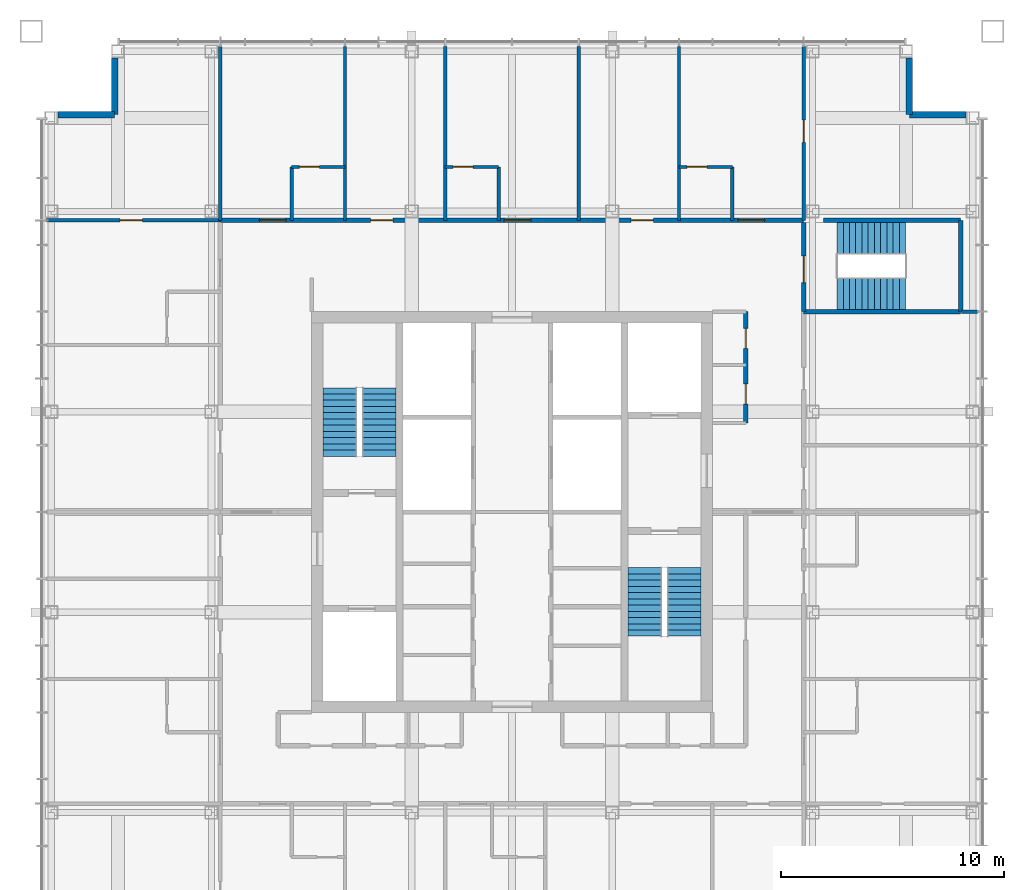
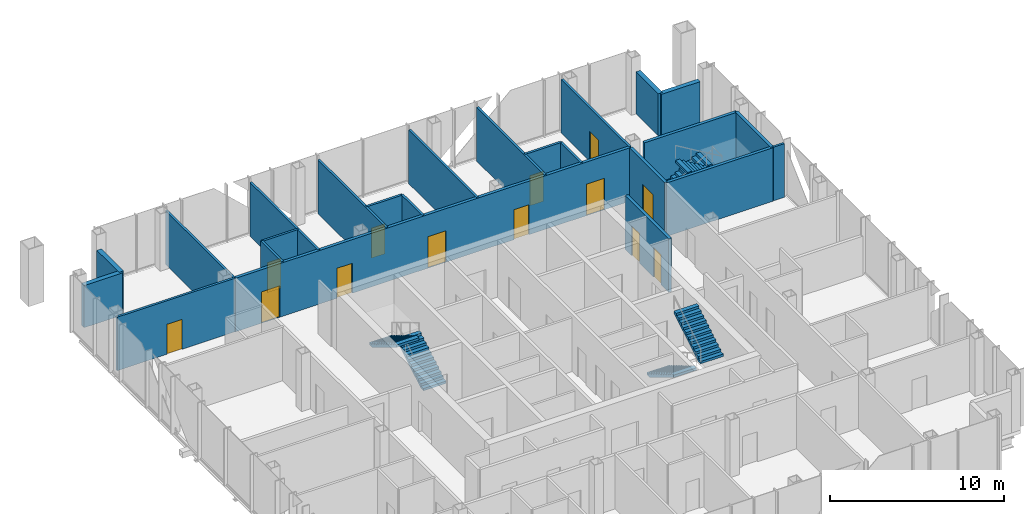
# One storey, part 10 of 13: 24 walls, 13 doors, 6 stair flights, 13 openings, 3 elements without a shape of their own.
"""IFC4 building model written with IfcOpenShell, lengths in metres."""

from ifc_helpers import new_model, si_unit, direction, frame, frame_2d, origin, place, context, subcontext, project, spatial, polyline, rectangle, outline, extrude, material, layer, layer_set, type_object, element, fill, aggregate, save


model = new_model("IFC4")

# Units and contexts
model_context = context("Model", 3, precision=1e-05, world=origin(), true_north=direction((0.0, 1.0)))
body_context = subcontext(model_context, "Body", "Model", "MODEL_VIEW")
ifc_project = project(units=[si_unit("LENGTHUNIT", "METRE"), si_unit("AREAUNIT", "SQUARE_METRE"), si_unit("VOLUMEUNIT", "CUBIC_METRE"), si_unit("PLANEANGLEUNIT", "RADIAN"), si_unit("MASSUNIT", "GRAM", prefix="KILO")], contexts=[model_context])

# Site, building, storey
site_placement = place(None, origin())
site = spatial("IfcSite", under=ifc_project, at=site_placement, CompositionType="ELEMENT")
building_placement = place(site_placement, origin())
building = spatial("IfcBuilding", under=site, at=building_placement, Name="Malebo Sky Hospital", CompositionType="ELEMENT")
storey_placement = place(building_placement, frame((0.0, 0.0, 274.0)))
storey = spatial("IfcBuildingStorey", under=building, at=storey_placement, Name="L66", CompositionType="ELEMENT", Elevation=274.0)

# Wall, openings, doors
ifc_material_1 = material(Name="Gypsum board on steel studs", Category="steel")
ifc_layer_1 = layer(ifc_material_1, 0.199951171875)
ifc_layer_set_1 = layer_set([ifc_layer_1], Name="CORRIDOR WALL 200")
wall_type_1 = type_object("IfcWallType", Name="CORRIDOR WALL 200", PredefinedType="PARTITIONING", material=ifc_layer_set_1)
wall_1_placement = place(storey_placement, frame((46.89990234375, 75.10009765625, 0.0), z_axis=(0.0, 0.0, 1.0), x_axis=(1.0, 0.0, 0.0)))
wall_1 = element("IfcWall", 1, at=wall_1_placement, inside=storey, type_object=wall_type_1, Name="Corridor Wall 200 NCO", PredefinedType="PARTITIONING", context=body_context, shape_type="SweptSolid", body=[
    extrude(rectangle(XDim=26.2001953125, YDim=0.199951171875, at=frame_2d((13.10009765625, 0.0))), origin(), (0.0, 0.0, 1.0), 3.75),
])
opening_1_placement = place(wall_1_placement, frame((1.75, 0.0, 0.0)))
opening_1 = element("IfcOpeningElement", 2, at=opening_1_placement, cuts=wall_1, Name="Opening D01", PredefinedType="OPENING", context=body_context, shape_type="SweptSolid", body=[
    extrude(rectangle(XDim=1.199951171875, YDim=2.199951171875, at=frame_2d((0.60009765625, 1.10009765625))), frame((0.0, 0.10986328125, 0.0), z_axis=(0.0, -1.0, 0.0), x_axis=(1.0, 0.0, 0.0)), (0.0, 0.0, 1.0), 0.219970703125),
])
opening_2_placement = place(wall_1_placement, frame((6.75, 0.0, 0.0)))
opening_2 = element("IfcOpeningElement", 3, at=opening_2_placement, cuts=wall_1, Name="Opening D03", PredefinedType="OPENING", context=body_context, shape_type="SweptSolid", body=[
    extrude(rectangle(XDim=1.0, YDim=2.10009765625, at=frame_2d((0.5, 1.050048828125))), frame((0.0, 0.10986328125, 0.0), z_axis=(0.0, -1.0, 0.0), x_axis=(1.0, 0.0, 0.0)), (0.0, 0.0, 1.0), 0.219970703125),
])
opening_3_placement = place(wall_1_placement, frame((12.75, 0.0, 0.0)))
opening_3 = element("IfcOpeningElement", 4, at=opening_3_placement, cuts=wall_1, Name="Opening D01", PredefinedType="OPENING", context=body_context, shape_type="SweptSolid", body=[
    extrude(rectangle(XDim=1.199951171875, YDim=2.199951171875, at=frame_2d((0.60009765625, 1.10009765625))), frame((0.0, 0.10986328125, 0.0), z_axis=(0.0, -1.0, 0.0), x_axis=(1.0, 0.0, 0.0)), (0.0, 0.0, 1.0), 0.219970703125),
])
opening_4_placement = place(wall_1_placement, frame((18.449951171875, 0.0, 0.0)))
opening_4 = element("IfcOpeningElement", 5, at=opening_4_placement, cuts=wall_1, Name="Opening D03", PredefinedType="OPENING", context=body_context, shape_type="SweptSolid", body=[
    extrude(rectangle(XDim=1.0, YDim=2.10009765625, at=frame_2d((0.5, 1.050048828125))), frame((0.0, 0.10986328125, 0.0), z_axis=(0.0, -1.0, 0.0), x_axis=(1.0, 0.0, 0.0)), (0.0, 0.0, 1.0), 0.219970703125),
])
opening_5_placement = place(wall_1_placement, frame((23.25, 0.0, 0.0)))
opening_5 = element("IfcOpeningElement", 6, at=opening_5_placement, cuts=wall_1, Name="Opening D01", PredefinedType="OPENING", context=body_context, shape_type="SweptSolid", body=[
    extrude(rectangle(XDim=1.199951171875, YDim=2.199951171875, at=frame_2d((0.60009765625, 1.10009765625))), frame((0.0, 0.10986328125, 0.0), z_axis=(0.0, -1.0, 0.0), x_axis=(1.0, 0.0, 0.0)), (0.0, 0.0, 1.0), 0.219970703125),
])
ifc_material_2 = material(Name="Hardwood-faced door leaf in steel frame", Category="steel")
door_type_1 = type_object("IfcDoorType", Name="BED DOOR 1200", OperationType="SINGLE_SWING_LEFT", PredefinedType="DOOR", material=ifc_material_2)
door_1_placement = place(opening_1_placement, origin())
door_1 = element("IfcDoor", 7, at=door_1_placement, inside=storey, type_object=door_type_1, Name="Private patient suite door", OperationType="SINGLE_SWING_RIGHT", OverallHeight=2.199951171875, OverallWidth=1.199951171875, PredefinedType="DOOR", context=body_context, shape_type="SweptSolid", body=[
    extrude(rectangle(XDim=1.199951171875, YDim=2.199951171875, at=frame_2d((0.60009765625, 1.10009765625))), frame((0.0, 0.02490234375, 0.0), z_axis=(0.0, -1.0, 0.0), x_axis=(1.0, 0.0, 0.0)), (0.0, 0.0, 1.0), 0.050048828125),
])
fill(opening_1, door_1)
door_2_placement = place(opening_3_placement, origin())
door_2 = element("IfcDoor", 8, at=door_2_placement, inside=storey, type_object=door_type_1, Name="Private patient suite door", OperationType="SINGLE_SWING_LEFT", OverallHeight=2.199951171875, OverallWidth=1.199951171875, PredefinedType="DOOR", context=body_context, shape_type="SweptSolid", body=[
    extrude(rectangle(XDim=1.199951171875, YDim=2.199951171875, at=frame_2d((0.60009765625, 1.10009765625))), frame((0.0, 0.02490234375, 0.0), z_axis=(0.0, -1.0, 0.0), x_axis=(1.0, 0.0, 0.0)), (0.0, 0.0, 1.0), 0.050048828125),
])
fill(opening_3, door_2)
door_3_placement = place(opening_5_placement, origin())
door_3 = element("IfcDoor", 9, at=door_3_placement, inside=storey, type_object=door_type_1, Name="Private patient suite door", OperationType="SINGLE_SWING_LEFT", OverallHeight=2.199951171875, OverallWidth=1.199951171875, PredefinedType="DOOR", context=body_context, shape_type="SweptSolid", body=[
    extrude(rectangle(XDim=1.199951171875, YDim=2.199951171875, at=frame_2d((0.60009765625, 1.10009765625))), frame((0.0, 0.02490234375, 0.0), z_axis=(0.0, -1.0, 0.0), x_axis=(1.0, 0.0, 0.0)), (0.0, 0.0, 1.0), 0.050048828125),
])
fill(opening_5, door_3)
door_type_2 = type_object("IfcDoorType", Name="ROOM DOOR 1000", OperationType="SINGLE_SWING_LEFT", PredefinedType="DOOR", material=ifc_material_2)
door_4_placement = place(opening_2_placement, origin())
door_4 = element("IfcDoor", 10, at=door_4_placement, inside=storey, type_object=door_type_2, Name="Nurse station door", OperationType="SINGLE_SWING_LEFT", OverallHeight=2.10009765625, OverallWidth=1.0, PredefinedType="DOOR", context=body_context, shape_type="SweptSolid", body=[
    extrude(rectangle(XDim=1.0, YDim=2.10009765625, at=frame_2d((0.5, 1.050048828125))), frame((0.0, 0.02490234375, 0.0), z_axis=(0.0, -1.0, 0.0), x_axis=(1.0, 0.0, 0.0)), (0.0, 0.0, 1.0), 0.050048828125),
])
fill(opening_2, door_4)
door_5_placement = place(opening_4_placement, origin())
door_5 = element("IfcDoor", 11, at=door_5_placement, inside=storey, type_object=door_type_2, Name="Concierge office door", OperationType="SINGLE_SWING_RIGHT", OverallHeight=2.10009765625, OverallWidth=1.0, PredefinedType="DOOR", context=body_context, shape_type="SweptSolid", body=[
    extrude(rectangle(XDim=1.0, YDim=2.10009765625, at=frame_2d((0.5, 1.050048828125))), frame((0.0, 0.02490234375, 0.0), z_axis=(0.0, -1.0, 0.0), x_axis=(1.0, 0.0, 0.0)), (0.0, 0.0, 1.0), 0.050048828125),
])
fill(opening_4, door_5)

wall_2_placement = place(storey_placement, frame((70.5, 71.0, 0.0), z_axis=(0.0, 0.0, 1.0), x_axis=(0.0, -1.0, 0.0)))
wall_2 = element("IfcWall", 12, at=wall_2_placement, inside=storey, type_object=wall_type_1, Name="Corridor Wall 200 ECI1", PredefinedType="PARTITIONING", context=body_context, shape_type="SweptSolid", body=[
    extrude(rectangle(XDim=5.0, YDim=0.199951171875, at=frame_2d((2.5, 0.0))), origin(), (0.0, 0.0, 1.0), 3.75),
])
opening_6_placement = place(wall_2_placement, frame((0.75, 0.0, 0.0)))
opening_6 = element("IfcOpeningElement", 13, at=opening_6_placement, cuts=wall_2, Name="Opening D04", PredefinedType="OPENING", context=body_context, shape_type="SweptSolid", body=[
    extrude(rectangle(XDim=0.89990234375, YDim=2.10009765625, at=frame_2d((0.449951171875, 1.050048828125))), frame((0.0, 0.10986328125, 0.0), z_axis=(0.0, -1.0, 0.0), x_axis=(1.0, 0.0, 0.0)), (0.0, 0.0, 1.0), 0.219970703125),
])
opening_7_placement = place(wall_2_placement, frame((3.25, 0.0, 0.0)))
opening_7 = element("IfcOpeningElement", 14, at=opening_7_placement, cuts=wall_2, Name="Opening D04", PredefinedType="OPENING", context=body_context, shape_type="SweptSolid", body=[
    extrude(rectangle(XDim=0.89990234375, YDim=2.10009765625, at=frame_2d((0.449951171875, 1.050048828125))), frame((0.0, 0.10986328125, 0.0), z_axis=(0.0, -1.0, 0.0), x_axis=(1.0, 0.0, 0.0)), (0.0, 0.0, 1.0), 0.219970703125),
])
door_type_3 = type_object("IfcDoorType", Name="ROOM DOOR 900", OperationType="SINGLE_SWING_LEFT", PredefinedType="DOOR", material=ifc_material_2)
door_6_placement = place(opening_6_placement, origin())
door_6 = element("IfcDoor", 15, at=door_6_placement, inside=storey, type_object=door_type_3, Name="Communications room door", OperationType="SINGLE_SWING_LEFT", OverallHeight=2.10009765625, OverallWidth=0.89990234375, PredefinedType="DOOR", context=body_context, shape_type="SweptSolid", body=[
    extrude(rectangle(XDim=0.89990234375, YDim=2.10009765625, at=frame_2d((0.449951171875, 1.050048828125))), frame((0.0, 0.02490234375, 0.0), z_axis=(0.0, -1.0, 0.0), x_axis=(1.0, 0.0, 0.0)), (0.0, 0.0, 1.0), 0.050048828125),
])
fill(opening_6, door_6)
door_7_placement = place(opening_7_placement, origin())
door_7 = element("IfcDoor", 16, at=door_7_placement, inside=storey, type_object=door_type_3, Name="Luggage store door", OperationType="SINGLE_SWING_LEFT", OverallHeight=2.10009765625, OverallWidth=0.89990234375, PredefinedType="DOOR", context=body_context, shape_type="SweptSolid", body=[
    extrude(rectangle(XDim=0.89990234375, YDim=2.10009765625, at=frame_2d((0.449951171875, 1.050048828125))), frame((0.0, 0.02490234375, 0.0), z_axis=(0.0, -1.0, 0.0), x_axis=(1.0, 0.0, 0.0)), (0.0, 0.0, 1.0), 0.050048828125),
])
fill(opening_7, door_7)

# Walls
ifc_material_3 = material(Name="Anodised aluminium rainscreen on steel framing", Category="steel")
ifc_layer_2 = layer(ifc_material_3, 0.300048828125)
ifc_layer_set_2 = layer_set([ifc_layer_2], Name="NOTCH RAINSCREEN WALL 300")
wall_type_2 = type_object("IfcWallType", Name="NOTCH RAINSCREEN WALL 300", PredefinedType="ELEMENTEDWALL", material=ifc_layer_set_2)
for number, where, z_axis, x_axis, name in (
    (17, (77.85009765625, 82.39990234375, 0.0), (0.0, 0.0, 1.0), (0.0, -1.0, 0.0), "Notch rainscreen wall N1 L66"),
    (18, (77.85009765625, 79.85009765625, 0.0), (0.0, 0.0, 1.0), (1.0, 0.0, 0.0), "Notch rainscreen wall N2 L66"),
    (19, (39.60009765625, 79.85009765625, 0.0), (0.0, 0.0, 1.0), (1.0, 0.0, 0.0), "Notch rainscreen wall W1 L66"),
    (20, (42.14990234375, 79.85009765625, 0.0), (0.0, 0.0, 1.0), (0.0, 1.0, 0.0), "Notch rainscreen wall W2 L66"),
):
    element("IfcWall", number, at=place(storey_placement, frame(where, z_axis=z_axis, x_axis=x_axis)), inside=storey, type_object=wall_type_2, Name=name, PredefinedType="ELEMENTEDWALL", context=body_context, shape_type="SweptSolid", body=[
        extrude(rectangle(XDim=2.5498046875, YDim=0.300048828125, at=frame_2d((1.27490234375, 0.0))), origin(), (0.0, 0.0, 1.0), 2.949951171875),
    ])
ifc_layer_3 = layer(ifc_material_1, 0.14990234375)
ifc_layer_set_3 = layer_set([ifc_layer_3], Name="PARTITION 150")
wall_type_3 = type_object("IfcWallType", Name="PARTITION 150", PredefinedType="PARTITIONING", material=ifc_layer_set_3)
for number, where, z_axis, x_axis, name in (
    (21, (52.5, 75.10009765625, 0.0), (0.0, 0.0, 1.0), (0.0, 1.0, 0.0), "Partition 150 NP-7.5"),
    (22, (57.0, 75.10009765625, 0.0), (0.0, 0.0, 1.0), (0.0, 1.0, 0.0), "Partition 150 NP-3.0"),
    (23, (63.0, 75.10009765625, 0.0), (0.0, 0.0, 1.0), (0.0, 1.0, 0.0), "Partition 150 NP+3.0"),
    (24, (67.5, 75.10009765625, 0.0), (0.0, 0.0, 1.0), (0.0, 1.0, 0.0), "Partition 150 NP+7.5"),
    (25, (46.89990234375, 75.10009765625, 0.0), (0.0, 0.0, 1.0), (0.0, 1.0, 0.0), "Partition 150 NP0"),
):
    element("IfcWall", number, at=place(storey_placement, frame(where, z_axis=z_axis, x_axis=x_axis)), inside=storey, type_object=wall_type_3, Name=name, PredefinedType="PARTITIONING", context=body_context, shape_type="SweptSolid", body=[
        extrude(rectangle(XDim=7.7998046875, YDim=0.14990234375, at=frame_2d((3.89990234375, 0.0))), origin(), (0.0, 0.0, 1.0), 3.75),
    ])

# Wall, opening, door
wall_3_placement = place(storey_placement, frame((50.10009765625, 77.5, 0.0), z_axis=(0.0, 0.0, 1.0), x_axis=(1.0, 0.0, 0.0)))
wall_3 = element("IfcWall", 26, at=wall_3_placement, inside=storey, type_object=wall_type_3, Name="Partition 150 NE0F", PredefinedType="PARTITIONING", context=body_context, shape_type="SweptSolid", body=[
    extrude(rectangle(XDim=2.39990234375, YDim=0.14990234375, at=frame_2d((1.199951171875, 0.0))), origin(), (0.0, 0.0, 1.0), 3.75),
])
opening_8_placement = place(wall_3_placement, frame((0.35009765625, 0.0, 0.0)))
opening_8 = element("IfcOpeningElement", 27, at=opening_8_placement, cuts=wall_3, Name="Opening D02", PredefinedType="OPENING", context=body_context, shape_type="SweptSolid", body=[
    extrude(rectangle(XDim=0.89990234375, YDim=2.10009765625, at=frame_2d((0.449951171875, 1.050048828125))), frame((0.0, 0.0849609375, 0.0), z_axis=(0.0, -1.0, 0.0), x_axis=(1.0, 0.0, 0.0)), (0.0, 0.0, 1.0), 0.169921875),
])
door_type_4 = type_object("IfcDoorType", Name="EN-SUITE DOOR 900", OperationType="SINGLE_SWING_LEFT", PredefinedType="DOOR", material=ifc_material_2)
door_8_placement = place(opening_8_placement, origin())
door_8 = element("IfcDoor", 28, at=door_8_placement, inside=storey, type_object=door_type_4, Name="En-suite door", OperationType="SINGLE_SWING_LEFT", OverallHeight=2.10009765625, OverallWidth=0.89990234375, PredefinedType="DOOR", context=body_context, shape_type="SweptSolid", body=[
    extrude(rectangle(XDim=0.89990234375, YDim=2.10009765625, at=frame_2d((0.449951171875, 1.050048828125))), frame((0.0, 0.02490234375, 0.0), z_axis=(0.0, -1.0, 0.0), x_axis=(1.0, 0.0, 0.0)), (0.0, 0.0, 1.0), 0.050048828125),
])
fill(opening_8, door_8)

# Wall
wall_4_placement = place(storey_placement, frame((50.10009765625, 75.10009765625, 0.0), z_axis=(0.0, 0.0, 1.0), x_axis=(0.0, 1.0, 0.0)))
element("IfcWall", 29, at=wall_4_placement, inside=storey, type_object=wall_type_3, Name="Partition 150 NE0S", PredefinedType="PARTITIONING", context=body_context, shape_type="SweptSolid", body=[
    extrude(rectangle(XDim=2.39990234375, YDim=0.14990234375, at=frame_2d((1.199951171875, 0.0))), origin(), (0.0, 0.0, 1.0), 3.75),
])

# Wall, opening, door
wall_5_placement = place(storey_placement, frame((57.0, 77.5, 0.0), z_axis=(0.0, 0.0, 1.0), x_axis=(1.0, 0.0, 0.0)))
wall_5 = element("IfcWall", 30, at=wall_5_placement, inside=storey, type_object=wall_type_3, Name="Partition 150 NE2F", PredefinedType="PARTITIONING", context=body_context, shape_type="SweptSolid", body=[
    extrude(rectangle(XDim=2.39990234375, YDim=0.14990234375, at=frame_2d((1.199951171875, 0.0))), origin(), (0.0, 0.0, 1.0), 3.75),
])
opening_9_placement = place(wall_5_placement, frame((0.35009765625, 0.0, 0.0)))
opening_9 = element("IfcOpeningElement", 31, at=opening_9_placement, cuts=wall_5, Name="Opening D02", PredefinedType="OPENING", context=body_context, shape_type="SweptSolid", body=[
    extrude(rectangle(XDim=0.89990234375, YDim=2.10009765625, at=frame_2d((0.449951171875, 1.050048828125))), frame((0.0, 0.0849609375, 0.0), z_axis=(0.0, -1.0, 0.0), x_axis=(1.0, 0.0, 0.0)), (0.0, 0.0, 1.0), 0.169921875),
])
door_9_placement = place(opening_9_placement, origin())
door_9 = element("IfcDoor", 32, at=door_9_placement, inside=storey, type_object=door_type_4, Name="En-suite door", OperationType="SINGLE_SWING_LEFT", OverallHeight=2.10009765625, OverallWidth=0.89990234375, PredefinedType="DOOR", context=body_context, shape_type="SweptSolid", body=[
    extrude(rectangle(XDim=0.89990234375, YDim=2.10009765625, at=frame_2d((0.449951171875, 1.050048828125))), frame((0.0, 0.02490234375, 0.0), z_axis=(0.0, -1.0, 0.0), x_axis=(1.0, 0.0, 0.0)), (0.0, 0.0, 1.0), 0.050048828125),
])
fill(opening_9, door_9)

# Wall
wall_6_placement = place(storey_placement, frame((59.39990234375, 75.10009765625, 0.0), z_axis=(0.0, 0.0, 1.0), x_axis=(0.0, 1.0, 0.0)))
element("IfcWall", 33, at=wall_6_placement, inside=storey, type_object=wall_type_3, Name="Partition 150 NE2S", PredefinedType="PARTITIONING", context=body_context, shape_type="SweptSolid", body=[
    extrude(rectangle(XDim=2.39990234375, YDim=0.14990234375, at=frame_2d((1.199951171875, 0.0))), origin(), (0.0, 0.0, 1.0), 3.75),
])

# Wall, opening, door
wall_7_placement = place(storey_placement, frame((73.10009765625, 75.10009765625, 0.0), z_axis=(0.0, 0.0, 1.0), x_axis=(0.0, 1.0, 0.0)))
wall_7 = element("IfcWall", 34, at=wall_7_placement, inside=storey, type_object=wall_type_3, Name="Partition 150 NK", PredefinedType="PARTITIONING", context=body_context, shape_type="SweptSolid", body=[
    extrude(rectangle(XDim=7.7998046875, YDim=0.14990234375, at=frame_2d((3.89990234375, 0.0))), origin(), (0.0, 0.0, 1.0), 3.75),
])
opening_10_placement = place(wall_7_placement, frame((3.5, 0.0, 0.0)))
opening_10 = element("IfcOpeningElement", 35, at=opening_10_placement, cuts=wall_7, Name="Opening D03", PredefinedType="OPENING", context=body_context, shape_type="SweptSolid", body=[
    extrude(rectangle(XDim=1.0, YDim=2.10009765625, at=frame_2d((0.5, 1.050048828125))), frame((0.0, 0.0849609375, 0.0), z_axis=(0.0, -1.0, 0.0), x_axis=(1.0, 0.0, 0.0)), (0.0, 0.0, 1.0), 0.169921875),
])
door_10_placement = place(opening_10_placement, origin())
door_10 = element("IfcDoor", 36, at=door_10_placement, inside=storey, type_object=door_type_2, Name="Quiet room door", OperationType="SINGLE_SWING_RIGHT", OverallHeight=2.10009765625, OverallWidth=1.0, PredefinedType="DOOR", context=body_context, shape_type="SweptSolid", body=[
    extrude(rectangle(XDim=1.0, YDim=2.10009765625, at=frame_2d((0.5, 1.050048828125))), frame((0.0, 0.02490234375, 0.0), z_axis=(0.0, -1.0, 0.0), x_axis=(1.0, 0.0, 0.0)), (0.0, 0.0, 1.0), 0.050048828125),
])
fill(opening_10, door_10)

wall_8_placement = place(storey_placement, frame((67.5, 77.5, 0.0), z_axis=(0.0, 0.0, 1.0), x_axis=(1.0, 0.0, 0.0)))
wall_8 = element("IfcWall", 37, at=wall_8_placement, inside=storey, type_object=wall_type_3, Name="Partition 150 NE4F", PredefinedType="PARTITIONING", context=body_context, shape_type="SweptSolid", body=[
    extrude(rectangle(XDim=2.39990234375, YDim=0.14990234375, at=frame_2d((1.199951171875, 0.0))), origin(), (0.0, 0.0, 1.0), 3.75),
])
opening_11_placement = place(wall_8_placement, frame((0.35009765625, 0.0, 0.0)))
opening_11 = element("IfcOpeningElement", 38, at=opening_11_placement, cuts=wall_8, Name="Opening D02", PredefinedType="OPENING", context=body_context, shape_type="SweptSolid", body=[
    extrude(rectangle(XDim=0.89990234375, YDim=2.10009765625, at=frame_2d((0.449951171875, 1.050048828125))), frame((0.0, 0.0849609375, 0.0), z_axis=(0.0, -1.0, 0.0), x_axis=(1.0, 0.0, 0.0)), (0.0, 0.0, 1.0), 0.169921875),
])
door_11_placement = place(opening_11_placement, origin())
door_11 = element("IfcDoor", 39, at=door_11_placement, inside=storey, type_object=door_type_4, Name="En-suite door", OperationType="SINGLE_SWING_LEFT", OverallHeight=2.10009765625, OverallWidth=0.89990234375, PredefinedType="DOOR", context=body_context, shape_type="SweptSolid", body=[
    extrude(rectangle(XDim=0.89990234375, YDim=2.10009765625, at=frame_2d((0.449951171875, 1.050048828125))), frame((0.0, 0.02490234375, 0.0), z_axis=(0.0, -1.0, 0.0), x_axis=(1.0, 0.0, 0.0)), (0.0, 0.0, 1.0), 0.050048828125),
])
fill(opening_11, door_11)

# Wall
wall_9_placement = place(storey_placement, frame((69.89990234375, 75.10009765625, 0.0), z_axis=(0.0, 0.0, 1.0), x_axis=(0.0, 1.0, 0.0)))
element("IfcWall", 40, at=wall_9_placement, inside=storey, type_object=wall_type_3, Name="Partition 150 NE4S", PredefinedType="PARTITIONING", context=body_context, shape_type="SweptSolid", body=[
    extrude(rectangle(XDim=2.39990234375, YDim=0.14990234375, at=frame_2d((1.199951171875, 0.0))), origin(), (0.0, 0.0, 1.0), 3.75),
])

# Wall, opening, door
wall_10_placement = place(storey_placement, frame((46.89990234375, 75.10009765625, 0.0), z_axis=(0.0, 0.0, 1.0), x_axis=(-1.0, 0.0, 0.0)))
wall_10 = element("IfcWall", 41, at=wall_10_placement, inside=storey, type_object=wall_type_3, Name="Partition 150 WK", PredefinedType="PARTITIONING", context=body_context, shape_type="SweptSolid", body=[
    extrude(rectangle(XDim=7.7998046875, YDim=0.14990234375, at=frame_2d((3.89990234375, 0.0))), origin(), (0.0, 0.0, 1.0), 3.75),
])
opening_12_placement = place(wall_10_placement, frame((3.5, 0.0, 0.0)))
opening_12 = element("IfcOpeningElement", 42, at=opening_12_placement, cuts=wall_10, Name="Opening D03", PredefinedType="OPENING", context=body_context, shape_type="SweptSolid", body=[
    extrude(rectangle(XDim=1.0, YDim=2.10009765625, at=frame_2d((0.5, 1.050048828125))), frame((0.0, 0.0849609375, 0.0), z_axis=(0.0, -1.0, 0.0), x_axis=(1.0, 0.0, 0.0)), (0.0, 0.0, 1.0), 0.169921875),
])
door_12_placement = place(opening_12_placement, origin())
door_12 = element("IfcDoor", 43, at=door_12_placement, inside=storey, type_object=door_type_2, Name="Suite sitting room door", OperationType="SINGLE_SWING_RIGHT", OverallHeight=2.10009765625, OverallWidth=1.0, PredefinedType="DOOR", context=body_context, shape_type="SweptSolid", body=[
    extrude(rectangle(XDim=1.0, YDim=2.10009765625, at=frame_2d((0.5, 1.050048828125))), frame((0.0, 0.02490234375, 0.0), z_axis=(0.0, -1.0, 0.0), x_axis=(1.0, 0.0, 0.0)), (0.0, 0.0, 1.0), 0.050048828125),
])
fill(opening_12, door_12)

# Wall
wall_11_placement = place(storey_placement, frame((80.199951171875, 71.0, 0.0), z_axis=(0.0, 0.0, 1.0), x_axis=(1.0, 0.0, 0.0)))
element("IfcWall", 44, at=wall_11_placement, inside=storey, type_object=wall_type_3, Name="Partition 150 EP-9.0", PredefinedType="PARTITIONING", context=body_context, shape_type="SweptSolid", body=[
    extrude(rectangle(XDim=0.699951171875, YDim=0.14990234375, at=frame_2d((0.35009765625, 0.0))), origin(), (0.0, 0.0, 1.0), 3.75),
])

# Wall, opening, door
ifc_material_4 = material(Name="Concrete C40/50", Category="concrete")
ifc_layer_4 = layer(ifc_material_4, 0.199951171875)
ifc_layer_set_4 = layer_set([ifc_layer_4], Name="STAIR ENCLOSURE WALL 200")
wall_type_4 = type_object("IfcWallType", Name="STAIR ENCLOSURE WALL 200", PredefinedType="SOLIDWALL", material=ifc_layer_set_4)
wall_12_placement = place(storey_placement, frame((73.10009765625, 75.0, 0.0), z_axis=(0.0, 0.0, 1.0), x_axis=(0.0, -1.0, 0.0)))
wall_12 = element("IfcWall", 45, at=wall_12_placement, inside=storey, type_object=wall_type_4, Name="Stair Enclosure Wall 200 ST3W", PredefinedType="SOLIDWALL", context=body_context, shape_type="SweptSolid", body=[
    extrude(rectangle(XDim=4.0, YDim=0.199951171875, at=frame_2d((2.0, 0.0))), origin(), (0.0, 0.0, 1.0), 3.75),
])
opening_13_placement = place(wall_12_placement, frame((1.5, 0.0, 0.0)))
opening_13 = element("IfcOpeningElement", 46, at=opening_13_placement, cuts=wall_12, Name="Opening D08", PredefinedType="OPENING", context=body_context, shape_type="SweptSolid", body=[
    extrude(rectangle(XDim=1.199951171875, YDim=2.10009765625, at=frame_2d((0.60009765625, 1.050048828125))), frame((0.0, 0.10986328125, 0.0), z_axis=(0.0, -1.0, 0.0), x_axis=(1.0, 0.0, 0.0)), (0.0, 0.0, 1.0), 0.219970703125),
])
door_type_5 = type_object("IfcDoorType", Name="STAIR DOOR 1200", OperationType="SINGLE_SWING_LEFT", PredefinedType="DOOR", material=ifc_material_2)
door_13_placement = place(opening_13_placement, origin())
door_13 = element("IfcDoor", 47, at=door_13_placement, inside=storey, type_object=door_type_5, Name="Stair S3 door", OperationType="SINGLE_SWING_RIGHT", OverallHeight=2.10009765625, OverallWidth=1.199951171875, PredefinedType="DOOR", context=body_context, shape_type="SweptSolid", body=[
    extrude(rectangle(XDim=1.199951171875, YDim=2.10009765625, at=frame_2d((0.60009765625, 1.050048828125))), frame((0.0, 0.02490234375, 0.0), z_axis=(0.0, -1.0, 0.0), x_axis=(1.0, 0.0, 0.0)), (0.0, 0.0, 1.0), 0.050048828125),
])
fill(opening_13, door_13)

# Walls
wall_13_placement = place(storey_placement, frame((73.10009765625, 71.0, 0.0), z_axis=(0.0, 0.0, 1.0), x_axis=(1.0, 0.0, 0.0)))
element("IfcWall", 48, at=wall_13_placement, inside=storey, type_object=wall_type_4, Name="Stair Enclosure Wall 200 ST3S", PredefinedType="SOLIDWALL", context=body_context, shape_type="SweptSolid", body=[
    extrude(rectangle(XDim=7.0498046875, YDim=0.199951171875, at=frame_2d((3.52490234375, 0.0))), origin(), (0.0, 0.0, 1.0), 3.75),
])
wall_14_placement = place(storey_placement, frame((80.14990234375, 71.0, 0.0), z_axis=(0.0, 0.0, 1.0), x_axis=(0.0, 1.0, 0.0)))
element("IfcWall", 49, at=wall_14_placement, inside=storey, type_object=wall_type_4, Name="Stair Enclosure Wall 200 ST3EE", PredefinedType="SOLIDWALL", context=body_context, shape_type="SweptSolid", body=[
    extrude(rectangle(XDim=4.10009765625, YDim=0.199951171875, at=frame_2d((2.050048828125, 0.0))), origin(), (0.0, 0.0, 1.0), 3.75),
])
wall_15_placement = place(storey_placement, frame((74.0, 75.10009765625, 0.0), z_axis=(0.0, 0.0, 1.0), x_axis=(1.0, 0.0, 0.0)))
element("IfcWall", 50, at=wall_15_placement, inside=storey, type_object=wall_type_4, Name="Stair Enclosure Wall 200 ST3N", PredefinedType="SOLIDWALL", context=body_context, shape_type="SweptSolid", body=[
    extrude(rectangle(XDim=6.14990234375, YDim=0.199951171875, at=frame_2d((3.074951171875, 0.0))), origin(), (0.0, 0.0, 1.0), 3.75),
])

# Stair, stair flights
stair_type_1 = type_object("IfcStairType", Name="HALF-TURN STAIR 1400 R167", PredefinedType="HALF_TURN_STAIR", material=ifc_material_4)
stair_1_placement = place(storey_placement, origin())
stair_1 = element("IfcStair", 51, at=stair_1_placement, inside=storey, type_object=stair_type_1, Name="Stair S3 L66 type ST1B", PredefinedType="HALF_TURN_STAIR")
stair_flight_type_1 = type_object("IfcStairFlightType", Name="STAIR FLIGHT 1400 R167", PredefinedType="STRAIGHT", material=ifc_material_4)
stair_flight_1_placement = place(storey_placement, frame((74.60009765625, 74.300048828125, 0.0), z_axis=(0.0, 0.0, 1.0), x_axis=(1.0, 0.0, 0.0)))
stair_flight_1 = element("IfcStairFlight", 52, at=stair_flight_1_placement, type_object=stair_flight_type_1, Name="S3 flight 1 type SF1B", NumberOfRisers=12, NumberOfTreads=11, PredefinedType="STRAIGHT", RiserHeight=0.166666667, TreadLength=0.28, context=body_context, shape_type="SweptSolid", body=[
    extrude(outline(polyline([(0.0, 0.0), (0.0, 0.166748046875), (0.280029296875, 0.166748046875), (0.280029296875, 0.333251953125), (0.56005859375, 0.333251953125), (0.56005859375, 0.5), (0.840087890625, 0.5), (0.840087890625, 0.666748046875), (1.1201171875, 0.666748046875), (1.1201171875, 0.833251953125), (1.39990234375, 0.833251953125), (1.39990234375, 1.0), (1.679931640625, 1.0), (1.679931640625, 1.166748046875), (1.9599609375, 1.166748046875), (1.9599609375, 1.333251953125), (2.239990234375, 1.333251953125), (2.239990234375, 1.5), (2.52001953125, 1.5), (2.52001953125, 1.666748046875), (2.800048828125, 1.666748046875), (2.800048828125, 1.833251953125), (3.080078125, 1.833251953125), (3.080078125, 2.0), (3.080078125, 1.658935546875), (0.29296875, 0.0), (0.0, 0.0)])), frame((0.0, 0.699951171875, 0.0), z_axis=(0.0, -1.0, 0.0), x_axis=(1.0, 0.0, 0.0)), (0.0, 0.0, 1.0), 1.39990234375),
])
stair_flight_2_placement = place(storey_placement, frame((77.679931640625, 71.800048828125, 2.0), z_axis=(0.0, 0.0, 1.0), x_axis=(-1.0, 0.0, 0.0)))
stair_flight_2 = element("IfcStairFlight", 53, at=stair_flight_2_placement, type_object=stair_flight_type_1, Name="S3 flight 2 type SF1B", NumberOfRisers=12, NumberOfTreads=11, PredefinedType="STRAIGHT", RiserHeight=0.166666667, TreadLength=0.28, context=body_context, shape_type="SweptSolid", body=[
    extrude(outline(polyline([(0.0, 0.0), (0.0, 0.166748046875), (0.280029296875, 0.166748046875), (0.280029296875, 0.333251953125), (0.56005859375, 0.333251953125), (0.56005859375, 0.5), (0.840087890625, 0.5), (0.840087890625, 0.666748046875), (1.1201171875, 0.666748046875), (1.1201171875, 0.833251953125), (1.39990234375, 0.833251953125), (1.39990234375, 1.0), (1.679931640625, 1.0), (1.679931640625, 1.166748046875), (1.9599609375, 1.166748046875), (1.9599609375, 1.333251953125), (2.239990234375, 1.333251953125), (2.239990234375, 1.5), (2.52001953125, 1.5), (2.52001953125, 1.666748046875), (2.800048828125, 1.666748046875), (2.800048828125, 1.833251953125), (3.080078125, 1.833251953125), (3.080078125, 2.0), (3.080078125, 1.658935546875), (0.29296875, 0.0), (0.0, 0.0)])), frame((0.0, 0.699951171875, 0.0), z_axis=(0.0, -1.0, 0.0), x_axis=(1.0, 0.0, 0.0)), (0.0, 0.0, 1.0), 1.39990234375),
])
aggregate(stair_1, [stair_flight_1, stair_flight_2])

stair_type_2 = type_object("IfcStairType", Name="HALF-TURN STAIR 1500 R167", PredefinedType="HALF_TURN_STAIR", material=ifc_material_4)
stair_2_placement = place(storey_placement, origin())
stair_2 = element("IfcStair", 54, at=stair_2_placement, inside=storey, type_object=stair_type_2, Name="Stair S1 L66 type ST1", PredefinedType="HALF_TURN_STAIR")
stair_flight_type_2 = type_object("IfcStairFlightType", Name="STAIR FLIGHT 1500 R167", PredefinedType="STRAIGHT", material=ifc_material_4)
stair_flight_3_placement = place(storey_placement, frame((54.050048828125, 64.5, 0.0), z_axis=(0.0, 0.0, 1.0), x_axis=(0.0, 1.0, 0.0)))
stair_flight_3 = element("IfcStairFlight", 55, at=stair_flight_3_placement, type_object=stair_flight_type_2, Name="S1 flight 1 type SF1", NumberOfRisers=12, NumberOfTreads=11, PredefinedType="STRAIGHT", RiserHeight=0.166666667, TreadLength=0.28, context=body_context, shape_type="SweptSolid", body=[
    extrude(outline(polyline([(0.0, 0.0), (0.0, 0.166748046875), (0.280029296875, 0.166748046875), (0.280029296875, 0.333251953125), (0.56005859375, 0.333251953125), (0.56005859375, 0.5), (0.840087890625, 0.5), (0.840087890625, 0.666748046875), (1.1201171875, 0.666748046875), (1.1201171875, 0.833251953125), (1.39990234375, 0.833251953125), (1.39990234375, 1.0), (1.679931640625, 1.0), (1.679931640625, 1.166748046875), (1.9599609375, 1.166748046875), (1.9599609375, 1.333251953125), (2.239990234375, 1.333251953125), (2.239990234375, 1.5), (2.52001953125, 1.5), (2.52001953125, 1.666748046875), (2.800048828125, 1.666748046875), (2.800048828125, 1.833251953125), (3.080078125, 1.833251953125), (3.080078125, 2.0), (3.080078125, 1.658935546875), (0.29296875, 0.0), (0.0, 0.0)])), frame((0.0, 0.75, 0.0), z_axis=(0.0, -1.0, 0.0), x_axis=(1.0, 0.0, 0.0)), (0.0, 0.0, 1.0), 1.5),
])
stair_flight_4_placement = place(storey_placement, frame((52.25, 67.580078125, 2.0), z_axis=(0.0, 0.0, 1.0), x_axis=(0.0, -1.0, 0.0)))
stair_flight_4 = element("IfcStairFlight", 56, at=stair_flight_4_placement, type_object=stair_flight_type_2, Name="S1 flight 2 type SF1", NumberOfRisers=12, NumberOfTreads=11, PredefinedType="STRAIGHT", RiserHeight=0.166666667, TreadLength=0.28, context=body_context, shape_type="SweptSolid", body=[
    extrude(outline(polyline([(0.0, 0.0), (0.0, 0.166748046875), (0.280029296875, 0.166748046875), (0.280029296875, 0.333251953125), (0.56005859375, 0.333251953125), (0.56005859375, 0.5), (0.840087890625, 0.5), (0.840087890625, 0.666748046875), (1.1201171875, 0.666748046875), (1.1201171875, 0.833251953125), (1.39990234375, 0.833251953125), (1.39990234375, 1.0), (1.679931640625, 1.0), (1.679931640625, 1.166748046875), (1.9599609375, 1.166748046875), (1.9599609375, 1.333251953125), (2.239990234375, 1.333251953125), (2.239990234375, 1.5), (2.52001953125, 1.5), (2.52001953125, 1.666748046875), (2.800048828125, 1.666748046875), (2.800048828125, 1.833251953125), (3.080078125, 1.833251953125), (3.080078125, 2.0), (3.080078125, 1.658935546875), (0.29296875, 0.0), (0.0, 0.0)])), frame((0.0, 0.75, 0.0), z_axis=(0.0, -1.0, 0.0), x_axis=(1.0, 0.0, 0.0)), (0.0, 0.0, 1.0), 1.5),
])
aggregate(stair_2, [stair_flight_3, stair_flight_4])

stair_3_placement = place(storey_placement, origin())
stair_3 = element("IfcStair", 57, at=stair_3_placement, inside=storey, type_object=stair_type_2, Name="Stair S2 L66 type ST1", PredefinedType="HALF_TURN_STAIR")
stair_flight_5_placement = place(storey_placement, frame((65.949951171875, 59.5, 0.0), z_axis=(0.0, 0.0, 1.0), x_axis=(0.0, -1.0, 0.0)))
stair_flight_5 = element("IfcStairFlight", 58, at=stair_flight_5_placement, type_object=stair_flight_type_2, Name="S2 flight 1 type SF1", NumberOfRisers=12, NumberOfTreads=11, PredefinedType="STRAIGHT", RiserHeight=0.166666667, TreadLength=0.28, context=body_context, shape_type="SweptSolid", body=[
    extrude(outline(polyline([(0.0, 0.0), (0.0, 0.166748046875), (0.280029296875, 0.166748046875), (0.280029296875, 0.333251953125), (0.56005859375, 0.333251953125), (0.56005859375, 0.5), (0.840087890625, 0.5), (0.840087890625, 0.666748046875), (1.1201171875, 0.666748046875), (1.1201171875, 0.833251953125), (1.39990234375, 0.833251953125), (1.39990234375, 1.0), (1.679931640625, 1.0), (1.679931640625, 1.166748046875), (1.9599609375, 1.166748046875), (1.9599609375, 1.333251953125), (2.239990234375, 1.333251953125), (2.239990234375, 1.5), (2.52001953125, 1.5), (2.52001953125, 1.666748046875), (2.800048828125, 1.666748046875), (2.800048828125, 1.833251953125), (3.080078125, 1.833251953125), (3.080078125, 2.0), (3.080078125, 1.658935546875), (0.29296875, 0.0), (0.0, 0.0)])), frame((0.0, 0.75, 0.0), z_axis=(0.0, -1.0, 0.0), x_axis=(1.0, 0.0, 0.0)), (0.0, 0.0, 1.0), 1.5),
])
stair_flight_6_placement = place(storey_placement, frame((67.75, 56.419921875, 2.0), z_axis=(0.0, 0.0, 1.0), x_axis=(0.0, 1.0, 0.0)))
stair_flight_6 = element("IfcStairFlight", 59, at=stair_flight_6_placement, type_object=stair_flight_type_2, Name="S2 flight 2 type SF1", NumberOfRisers=12, NumberOfTreads=11, PredefinedType="STRAIGHT", RiserHeight=0.166666667, TreadLength=0.28, context=body_context, shape_type="SweptSolid", body=[
    extrude(outline(polyline([(0.0, 0.0), (0.0, 0.166748046875), (0.280029296875, 0.166748046875), (0.280029296875, 0.333251953125), (0.56005859375, 0.333251953125), (0.56005859375, 0.5), (0.840087890625, 0.5), (0.840087890625, 0.666748046875), (1.1201171875, 0.666748046875), (1.1201171875, 0.833251953125), (1.39990234375, 0.833251953125), (1.39990234375, 1.0), (1.679931640625, 1.0), (1.679931640625, 1.166748046875), (1.9599609375, 1.166748046875), (1.9599609375, 1.333251953125), (2.239990234375, 1.333251953125), (2.239990234375, 1.5), (2.52001953125, 1.5), (2.52001953125, 1.666748046875), (2.800048828125, 1.666748046875), (2.800048828125, 1.833251953125), (3.080078125, 1.833251953125), (3.080078125, 2.0), (3.080078125, 1.658935546875), (0.29296875, 0.0), (0.0, 0.0)])), frame((0.0, 0.75, 0.0), z_axis=(0.0, -1.0, 0.0), x_axis=(1.0, 0.0, 0.0)), (0.0, 0.0, 1.0), 1.5),
])
aggregate(stair_3, [stair_flight_5, stair_flight_6])

save(model, "model.ifc")
